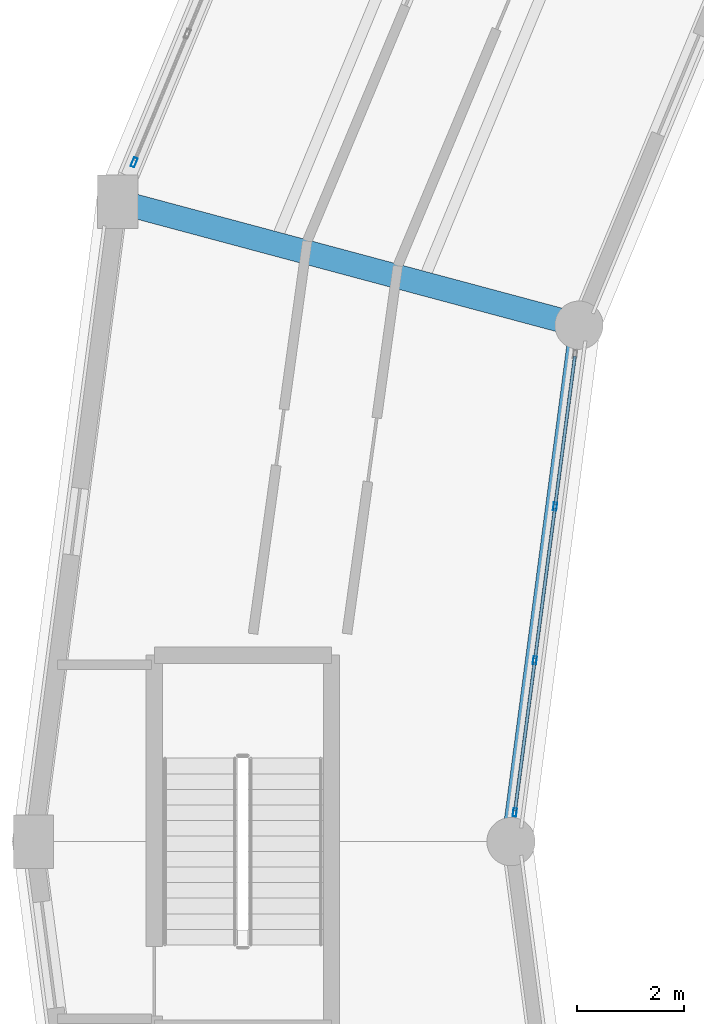
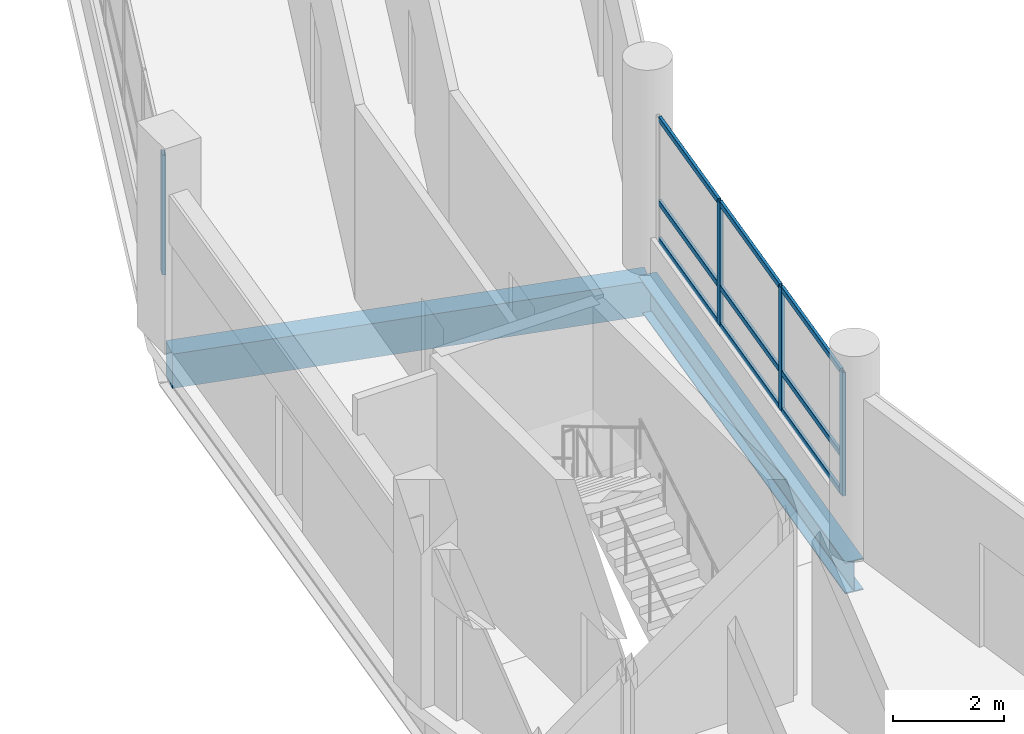
# One storey, part 45 of 129: 13 members, 2 beams, 2 elements without a shape of their own.
"""IFC4 building model written with IfcOpenShell, lengths in metres."""

from ifc_helpers import new_model, si_unit, direction, frame, origin, origin_2d, place, context, subcontext, project, spatial, rectangle, hollow_rectangle, i_section, extrude, material, layer, layer_set, material_profile, profile_set, type_object, element, aggregate, save


model = new_model("IFC4")

# Units and contexts
model_context = context("Model", 3, precision=1e-05, world=origin(), true_north=direction((0.0, 1.0)))
body_context = subcontext(model_context, "Body", "Model", "MODEL_VIEW")
ifc_project = project(units=[si_unit("LENGTHUNIT", "METRE"), si_unit("AREAUNIT", "SQUARE_METRE"), si_unit("VOLUMEUNIT", "CUBIC_METRE"), si_unit("PLANEANGLEUNIT", "RADIAN"), si_unit("MASSUNIT", "GRAM", prefix="KILO")], contexts=[model_context])

# Site, building, storey
site_placement = place(None, origin())
site = spatial("IfcSite", under=ifc_project, at=site_placement, CompositionType="ELEMENT")
building_placement = place(site_placement, origin())
building = spatial("IfcBuilding", under=site, at=building_placement, Name="Vespera Passage Community Centre", CompositionType="ELEMENT")
storey_placement = place(building_placement, origin())
storey = spatial("IfcBuildingStorey", under=building, at=storey_placement, Name="L00", CompositionType="ELEMENT", Elevation=0.0)

# Beams
ifc_material_1 = material(Name="Concrete f'c 35 MPa", Category="concrete")
ifc_material_profile_1 = material_profile(ifc_material_1, rectangle(XDim=0.449951171875, YDim=0.75, at=origin_2d()), Name="RC450X750")
ifc_profile_set_1 = profile_set([ifc_material_profile_1], Name="Concrete f'c 35 MPa")
beam_type_1 = type_object("IfcBeamType", Name="BM-G-450X750", PredefinedType="BEAM", material=ifc_profile_set_1)
beam_1_placement = place(storey_placement, frame((42.067626953125, 75.128173828125, -0.655029296875), z_axis=(-0.9659278487, 0.258811497245, 0.0), x_axis=(-0.258811497245, -0.9659278487, 0.0)))
element("IfcBeam", 1, at=beam_1_placement, inside=storey, type_object=beam_type_1, Name="V4 L00 Radial Girder 11", PredefinedType="BEAM", context=body_context, shape_type="SweptSolid", body=[
    extrude(rectangle(XDim=0.449951171875, YDim=0.75, at=origin_2d()), origin(), (0.0, 0.0, 1.0), 8.900146484375),
])
ifc_material_2 = material(Name="Steel ASTM A992 Grade 50", Category="steel")
ifc_material_profile_2 = material_profile(ifc_material_2, i_section(OverallWidth=0.3544921875, OverallDepth=0.695556640625, WebThickness=0.015380859375, FlangeThickness=0.024658203125, FilletRadius=0.01513671875, at=origin_2d()), Name="W27X146")
ifc_profile_set_2 = profile_set([ifc_material_profile_2], Name="Steel ASTM A992 Grade 50")
beam_type_2 = type_object("IfcBeamType", Name="BM-SP-W27X146E", PredefinedType="SPANDREL", material=ifc_profile_set_2)
beam_2_placement = place(storey_placement, frame((42.067626953125, 75.128173828125, -0.627685546875), z_axis=(-0.130526697639, -0.991444794834, 0.0), x_axis=(0.991444794834, -0.130526697639, 0.0)))
element("IfcBeam", 2, at=beam_2_placement, inside=storey, type_object=beam_type_2, Name="V4 L00 Inner Spandrel 11", PredefinedType="SPANDREL", context=body_context, shape_type="SweptSolid", body=[
    extrude(i_section(OverallWidth=0.3544921875, OverallDepth=0.695556640625, WebThickness=0.015380859375, FlangeThickness=0.024658203125, FilletRadius=0.01513671875, at=origin_2d()), origin(), (0.0, 0.0, 1.0), 9.711181640625),
])

# Curtain wall, members
ifc_material_3 = material(Name="Anodized aluminium 6063-T6", Category="aluminium")
ifc_layer_1 = layer(ifc_material_3, 0.159912109375)
ifc_layer_set_1 = layer_set([ifc_layer_1], Name="Anodized aluminium 6063-T6")
curtain_wall_type_1 = type_object("IfcCurtainWallType", Name="CW-09E", PredefinedType="NOTDEFINED", material=ifc_layer_set_1)
curtain_wall_1_placement = place(storey_placement, origin())
curtain_wall_1 = element("IfcCurtainWall", 3, at=curtain_wall_1_placement, inside=storey, type_object=curtain_wall_type_1, Name="V4 L00 Inner Court Curtain Wall 11", PredefinedType="NOTDEFINED")
ifc_material_4 = material(Name="Anodized aluminium 6063-T6", Category="aluminium")
ifc_material_profile_3 = material_profile(ifc_material_4, hollow_rectangle(XDim=0.06494140625, YDim=0.14990234375, WallThickness=0.00390625, InnerFilletRadius=0.001953125, OuterFilletRadius=0.00390625, at=origin_2d()), Name="ALU150X65X4")
ifc_profile_set_3 = profile_set([ifc_material_profile_3], Name="Anodized aluminium 6063-T6")
member_type_1 = type_object("IfcMemberType", Name="MB-CWM-150E", PredefinedType="MULLION", material=ifc_profile_set_3)
member_1_placement = place(storey_placement, frame((41.62255859375, 71.74755859375, 0.820068359375), z_axis=(0.0, 0.0, 1.0), x_axis=(0.991445387728, -0.1305221941, 0.0)))
member_1 = element("IfcMember", 4, at=member_1_placement, type_object=member_type_1, Name="CW-09E mullion 2", PredefinedType="MULLION", context=body_context, shape_type="SweptSolid", body=[
    extrude(hollow_rectangle(XDim=0.06494140625, YDim=0.14990234375, WallThickness=0.00390625, InnerFilletRadius=0.001953125, OuterFilletRadius=0.00390625, at=origin_2d()), origin(), (0.0, 0.0, 1.0), 2.709228515625),
])
member_2_placement = place(storey_placement, frame((41.2451171875, 68.88037109375, 0.820068359375), z_axis=(0.0, 0.0, 1.0), x_axis=(0.991445387728, -0.1305221941, 0.0)))
member_2 = element("IfcMember", 5, at=member_2_placement, type_object=member_type_1, Name="CW-09E mullion 3", PredefinedType="MULLION", context=body_context, shape_type="SweptSolid", body=[
    extrude(hollow_rectangle(XDim=0.06494140625, YDim=0.14990234375, WallThickness=0.00390625, InnerFilletRadius=0.001953125, OuterFilletRadius=0.00390625, at=origin_2d()), origin(), (0.0, 0.0, 1.0), 2.709228515625),
])
member_3_placement = place(storey_placement, frame((40.871826171875, 66.04541015625, 0.820068359375), z_axis=(0.0, 0.0, 1.0), x_axis=(0.991445387728, -0.1305221941, 0.0)))
member_3 = element("IfcMember", 6, at=member_3_placement, type_object=member_type_1, Name="CW-09E mullion 4", PredefinedType="MULLION", context=body_context, shape_type="SweptSolid", body=[
    extrude(hollow_rectangle(XDim=0.06494140625, YDim=0.14990234375, WallThickness=0.00390625, InnerFilletRadius=0.001953125, OuterFilletRadius=0.00390625, at=origin_2d()), origin(), (0.0, 0.0, 1.0), 2.709228515625),
])

# Curtain wall, member
ifc_material_5 = material(Name="Anodized aluminium 6063-T6", Category="aluminium")
ifc_layer_2 = layer(ifc_material_5, 0.159912109375)
ifc_layer_set_2 = layer_set([ifc_layer_2], Name="Anodized aluminium 6063-T6")
curtain_wall_type_2 = type_object("IfcCurtainWallType", Name="CW-08E", PredefinedType="NOTDEFINED", material=ifc_layer_set_2)
curtain_wall_2_placement = place(storey_placement, origin())
curtain_wall_2 = element("IfcCurtainWall", 7, at=curtain_wall_2_placement, inside=storey, type_object=curtain_wall_type_2, Name="V4 L00 Outer Ribbon Curtain Wall 10", PredefinedType="NOTDEFINED")
ifc_material_6 = material(Name="Anodized aluminium 6063-T6", Category="aluminium")
ifc_material_profile_4 = material_profile(ifc_material_6, hollow_rectangle(XDim=0.074951171875, YDim=0.179931640625, WallThickness=0.0048828125, InnerFilletRadius=0.00244140625, OuterFilletRadius=0.0048828125, at=origin_2d()), Name="ALU180X75X5")
ifc_profile_set_4 = profile_set([ifc_material_profile_4], Name="Anodized aluminium 6063-T6")
member_type_2 = type_object("IfcMemberType", Name="MB-CWM-180E", PredefinedType="MULLION", material=ifc_profile_set_4)
member_4_placement = place(storey_placement, frame((33.774658203125, 78.164794921875, 0.820068359375), z_axis=(0.0, 0.0, 1.0), x_axis=(-0.923881309405, 0.382679142535, 0.0)))
member_4 = element("IfcMember", 8, at=member_4_placement, type_object=member_type_2, Name="CW-08E mullion 1", PredefinedType="MULLION", context=body_context, shape_type="SweptSolid", body=[
    extrude(hollow_rectangle(XDim=0.074951171875, YDim=0.179931640625, WallThickness=0.0048828125, InnerFilletRadius=0.00244140625, OuterFilletRadius=0.0048828125, at=origin_2d()), origin(), (0.0, 0.0, 1.0), 2.62548828125),
])
aggregate(curtain_wall_2, [member_4])

# Member
ifc_material_7 = material(Name="Anodized aluminium 6063-T6", Category="aluminium")
ifc_material_profile_5 = material_profile(ifc_material_7, hollow_rectangle(XDim=0.06005859375, YDim=0.1201171875, WallThickness=0.00390625, InnerFilletRadius=0.001953125, OuterFilletRadius=0.00390625, at=origin_2d()), Name="ALU120X60X4")
ifc_profile_set_5 = profile_set([ifc_material_profile_5], Name="Anodized aluminium 6063-T6")
member_type_3 = type_object("IfcMemberType", Name="MB-CWT-120E", PredefinedType="USERDEFINED", material=ifc_profile_set_5)
member_5_placement = place(storey_placement, frame((41.991455078125, 74.550537109375, 0.85009765625), z_axis=(-0.130515527399, -0.991446265366, 0.0), x_axis=(0.991446265366, -0.130515527399, 0.0)))
member_5 = element("IfcMember", 9, at=member_5_placement, type_object=member_type_3, Name="CW-09E transom 1.1", ObjectType="TRANSOM", PredefinedType="USERDEFINED", context=body_context, shape_type="SweptSolid", body=[
    extrude(hollow_rectangle(XDim=0.06005859375, YDim=0.1201171875, WallThickness=0.00390625, InnerFilletRadius=0.001953125, OuterFilletRadius=0.00390625, at=origin_2d()), origin(), (0.0, 0.0, 1.0), 2.794677734375),
])

member_6_placement = place(storey_placement, frame((41.991455078125, 74.550537109375, 1.669921875), z_axis=(-0.130515527399, -0.991446265366, 0.0), x_axis=(0.991446265366, -0.130515527399, 0.0)))
member_6 = element("IfcMember", 10, at=member_6_placement, type_object=member_type_3, Name="CW-09E transom 1.2", ObjectType="TRANSOM", PredefinedType="USERDEFINED", context=body_context, shape_type="SweptSolid", body=[
    extrude(hollow_rectangle(XDim=0.06005859375, YDim=0.1201171875, WallThickness=0.00390625, InnerFilletRadius=0.001953125, OuterFilletRadius=0.00390625, at=origin_2d()), origin(), (0.0, 0.0, 1.0), 2.794677734375),
])

member_7_placement = place(storey_placement, frame((41.991455078125, 74.550537109375, 3.49951171875), z_axis=(-0.130515527399, -0.991446265366, 0.0), x_axis=(0.991446265366, -0.130515527399, 0.0)))
member_7 = element("IfcMember", 11, at=member_7_placement, type_object=member_type_3, Name="CW-09E transom 1.3", ObjectType="TRANSOM", PredefinedType="USERDEFINED", context=body_context, shape_type="SweptSolid", body=[
    extrude(hollow_rectangle(XDim=0.06005859375, YDim=0.1201171875, WallThickness=0.00390625, InnerFilletRadius=0.001953125, OuterFilletRadius=0.00390625, at=origin_2d()), origin(), (0.0, 0.0, 1.0), 2.794677734375),
])

member_8_placement = place(storey_placement, frame((41.618408203125, 71.71533203125, 0.85009765625), z_axis=(-0.130579616175, -0.991437826512, 0.0), x_axis=(0.991437826512, -0.130579616175, 0.0)))
member_8 = element("IfcMember", 12, at=member_8_placement, type_object=member_type_3, Name="CW-09E transom 2.1", ObjectType="TRANSOM", PredefinedType="USERDEFINED", context=body_context, shape_type="SweptSolid", body=[
    extrude(hollow_rectangle(XDim=0.06005859375, YDim=0.1201171875, WallThickness=0.00390625, InnerFilletRadius=0.001953125, OuterFilletRadius=0.00390625, at=origin_2d()), origin(), (0.0, 0.0, 1.0), 2.826904296875),
])

member_9_placement = place(storey_placement, frame((41.618408203125, 71.71533203125, 1.669921875), z_axis=(-0.130579616175, -0.991437826512, 0.0), x_axis=(0.991437826512, -0.130579616175, 0.0)))
member_9 = element("IfcMember", 13, at=member_9_placement, type_object=member_type_3, Name="CW-09E transom 2.2", ObjectType="TRANSOM", PredefinedType="USERDEFINED", context=body_context, shape_type="SweptSolid", body=[
    extrude(hollow_rectangle(XDim=0.06005859375, YDim=0.1201171875, WallThickness=0.00390625, InnerFilletRadius=0.001953125, OuterFilletRadius=0.00390625, at=origin_2d()), origin(), (0.0, 0.0, 1.0), 2.826904296875),
])

member_10_placement = place(storey_placement, frame((41.618408203125, 71.71533203125, 3.49951171875), z_axis=(-0.130579616175, -0.991437826512, 0.0), x_axis=(0.991437826512, -0.130579616175, 0.0)))
member_10 = element("IfcMember", 14, at=member_10_placement, type_object=member_type_3, Name="CW-09E transom 2.3", ObjectType="TRANSOM", PredefinedType="USERDEFINED", context=body_context, shape_type="SweptSolid", body=[
    extrude(hollow_rectangle(XDim=0.06005859375, YDim=0.1201171875, WallThickness=0.00390625, InnerFilletRadius=0.001953125, OuterFilletRadius=0.00390625, at=origin_2d()), origin(), (0.0, 0.0, 1.0), 2.826904296875),
])

member_11_placement = place(storey_placement, frame((41.24072265625, 68.84814453125, 0.85009765625), z_axis=(-0.130526832651, -0.991444777059, 0.0), x_axis=(0.991444777059, -0.130526832651, 0.0)))
member_11 = element("IfcMember", 15, at=member_11_placement, type_object=member_type_3, Name="CW-09E transom 3.1", ObjectType="TRANSOM", PredefinedType="USERDEFINED", context=body_context, shape_type="SweptSolid", body=[
    extrude(hollow_rectangle(XDim=0.06005859375, YDim=0.1201171875, WallThickness=0.00390625, InnerFilletRadius=0.001953125, OuterFilletRadius=0.00390625, at=origin_2d()), origin(), (0.0, 0.0, 1.0), 2.79443359375),
])

member_12_placement = place(storey_placement, frame((41.24072265625, 68.84814453125, 1.669921875), z_axis=(-0.130526832651, -0.991444777059, 0.0), x_axis=(0.991444777059, -0.130526832651, 0.0)))
member_12 = element("IfcMember", 16, at=member_12_placement, type_object=member_type_3, Name="CW-09E transom 3.2", ObjectType="TRANSOM", PredefinedType="USERDEFINED", context=body_context, shape_type="SweptSolid", body=[
    extrude(hollow_rectangle(XDim=0.06005859375, YDim=0.1201171875, WallThickness=0.00390625, InnerFilletRadius=0.001953125, OuterFilletRadius=0.00390625, at=origin_2d()), origin(), (0.0, 0.0, 1.0), 2.79443359375),
])

member_13_placement = place(storey_placement, frame((41.24072265625, 68.84814453125, 3.49951171875), z_axis=(-0.130526832651, -0.991444777059, 0.0), x_axis=(0.991444777059, -0.130526832651, 0.0)))
member_13 = element("IfcMember", 17, at=member_13_placement, type_object=member_type_3, Name="CW-09E transom 3.3", ObjectType="TRANSOM", PredefinedType="USERDEFINED", context=body_context, shape_type="SweptSolid", body=[
    extrude(hollow_rectangle(XDim=0.06005859375, YDim=0.1201171875, WallThickness=0.00390625, InnerFilletRadius=0.001953125, OuterFilletRadius=0.00390625, at=origin_2d()), origin(), (0.0, 0.0, 1.0), 2.79443359375),
])

aggregate(curtain_wall_1, [member_1, member_2, member_3, member_5, member_6, member_7, member_8, member_9, member_10, member_11, member_12, member_13])

save(model, "model.ifc")
